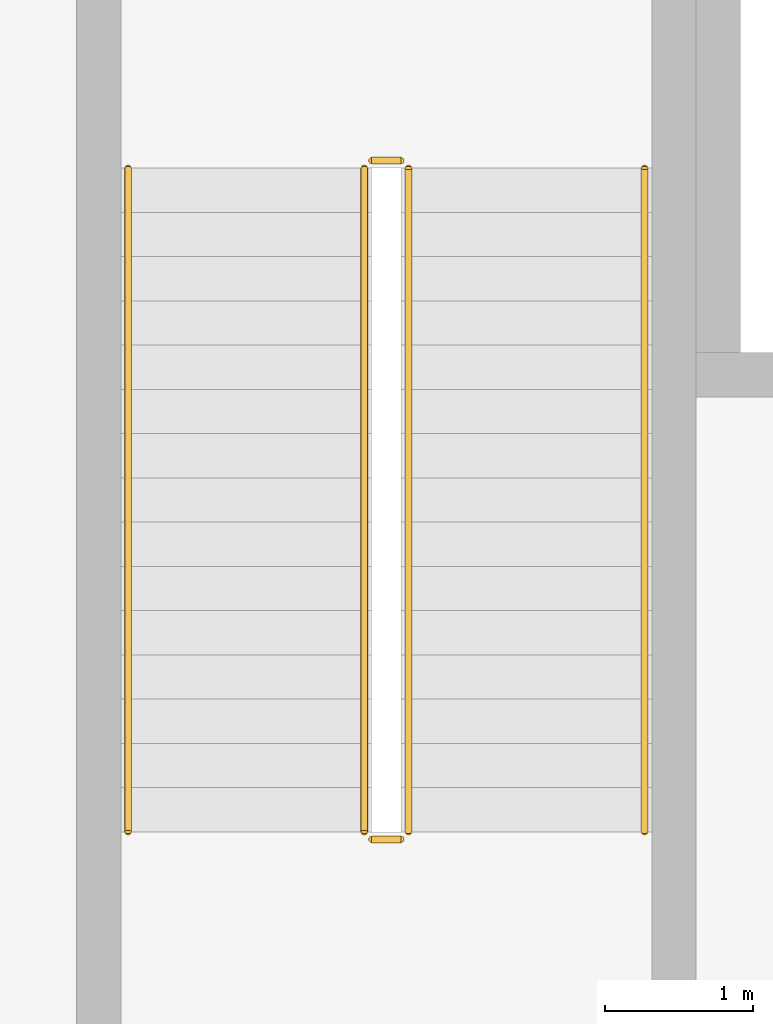
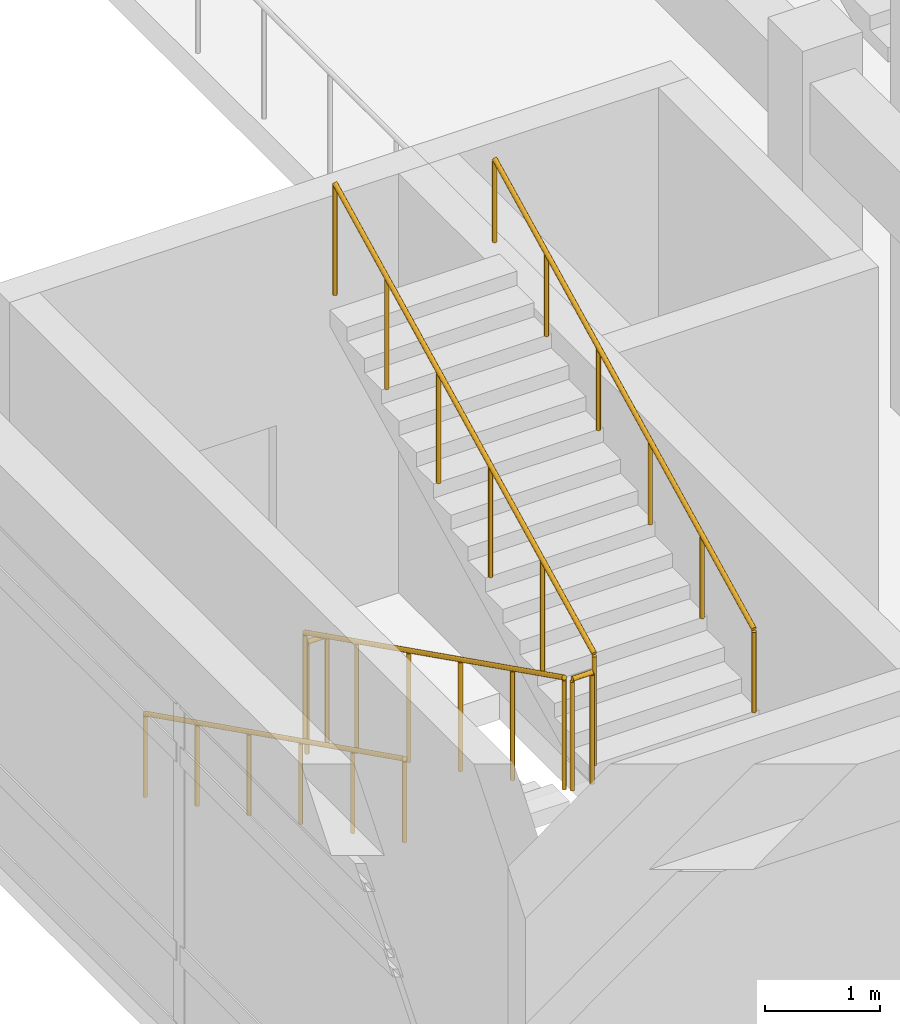
# One storey, part 86 of 90: 6 railings.
"""IFC4 building model written with IfcOpenShell, lengths in metres."""

from ifc_helpers import new_model, si_unit, direction, frame, origin, origin_2d, place, context, subcontext, project, spatial, circle, extrude, material, type_object, element, save


model = new_model("IFC4")

# Units and contexts
model_context = context("Model", 3, precision=1e-05, world=origin(), true_north=direction((0.0, 1.0)))
body_context = subcontext(model_context, "Body", "Model", "MODEL_VIEW")
ifc_project = project(units=[si_unit("LENGTHUNIT", "METRE"), si_unit("AREAUNIT", "SQUARE_METRE"), si_unit("VOLUMEUNIT", "CUBIC_METRE"), si_unit("PLANEANGLEUNIT", "RADIAN"), si_unit("MASSUNIT", "GRAM", prefix="KILO")], contexts=[model_context])

# Site, building, storey
site_placement = place(None, origin())
site = spatial("IfcSite", under=ifc_project, at=site_placement, CompositionType="ELEMENT")
building_placement = place(site_placement, origin())
building = spatial("IfcBuilding", under=site, at=building_placement, Name="Bozkorgan Art Gallery", CompositionType="ELEMENT")
storey_placement = place(building_placement, frame((0.0, 0.0, 5.39990234375)))
storey = spatial("IfcBuildingStorey", under=building, at=storey_placement, Name="L01", CompositionType="ELEMENT", Elevation=5.39990234375)

# Railings
ifc_material = material(Name="Steel S355J2", Category="steel")
railing_type_1 = type_object("IfcRailingType", Name="RAIL-GRD-115", PredefinedType="GUARDRAIL", material=ifc_material)
railing_1_placement = place(storey_placement, frame((77.050048828125, 64.550048828125, 0.150146484375)))
element("IfcRailing", 1, at=railing_1_placement, inside=storey, type_object=railing_type_1, Name="L01 ST2 stair guard 1", PredefinedType="GUARDRAIL", context=body_context, shape_type="SweptSolid", body=[
    extrude(circle(Radius=0.02392578125, at=origin_2d()), frame((0.0, 0.0, 1.17578125), z_axis=(0.0, -0.894427191, 0.4472135955), x_axis=(1.0, 0.0, 0.0)), (0.0, 0.0, 1.0), 5.03125),
    extrude(circle(Radius=0.02099609375, at=origin_2d()), origin(), (0.0, 0.0, 1.0), 1.15185546875),
    extrude(circle(Radius=0.02099609375, at=origin_2d()), frame((0.0, -0.89990234375, 0.449951171875)), (0.0, 0.0, 1.0), 1.15185546875),
    extrude(circle(Radius=0.02099609375, at=origin_2d()), frame((0.0, -1.800048828125, 0.89990234375)), (0.0, 0.0, 1.0), 1.15185546875),
    extrude(circle(Radius=0.02099609375, at=origin_2d()), frame((0.0, -2.699951171875, 1.35009765625)), (0.0, 0.0, 1.0), 1.15185546875),
    extrude(circle(Radius=0.02099609375, at=origin_2d()), frame((0.0, -3.60009765625, 1.800048828125)), (0.0, 0.0, 1.0), 1.15185546875),
    extrude(circle(Radius=0.02099609375, at=origin_2d()), frame((0.0, -4.5, 2.25)), (0.0, 0.0, 1.0), 1.15185546875),
])
railing_2_placement = place(storey_placement, frame((77.10009765625, 60.0, 2.400146484375)))
element("IfcRailing", 2, at=railing_2_placement, inside=storey, type_object=railing_type_1, Name="L01 ST2 stair guard 2", PredefinedType="GUARDRAIL", context=body_context, shape_type="SweptSolid", body=[
    extrude(circle(Radius=0.02392578125, at=origin_2d()), frame((0.0, 0.0, 1.17578125), z_axis=(1.0, 0.0, 0.0), x_axis=(0.0, 1.0, 0.0)), (0.0, 0.0, 1.0), 0.199951171875),
    extrude(circle(Radius=0.02099609375, at=origin_2d()), origin(), (0.0, 0.0, 1.0), 1.15185546875),
    extrude(circle(Radius=0.02099609375, at=origin_2d()), frame((0.199951171875, 0.0, 0.0)), (0.0, 0.0, 1.0), 1.15185546875),
])
railing_3_placement = place(storey_placement, frame((77.35009765625, 60.050048828125, 2.550048828125)))
element("IfcRailing", 3, at=railing_3_placement, inside=storey, type_object=railing_type_1, Name="L01 ST2 stair guard 3", PredefinedType="GUARDRAIL", context=body_context, shape_type="SweptSolid", body=[
    extrude(circle(Radius=0.02392578125, at=origin_2d()), frame((0.0, 0.0, 1.17578125), z_axis=(0.0, 0.894427191, 0.4472135955), x_axis=(-1.0, 0.0, 0.0)), (0.0, 0.0, 1.0), 5.03125),
    extrude(circle(Radius=0.02099609375, at=origin_2d()), origin(), (0.0, 0.0, 1.0), 1.15185546875),
    extrude(circle(Radius=0.02099609375, at=origin_2d()), frame((0.0, 0.89990234375, 0.449951171875)), (0.0, 0.0, 1.0), 1.15185546875),
    extrude(circle(Radius=0.02099609375, at=origin_2d()), frame((0.0, 1.800048828125, 0.89990234375)), (0.0, 0.0, 1.0), 1.15185546875),
    extrude(circle(Radius=0.02099609375, at=origin_2d()), frame((0.0, 2.699951171875, 1.35009765625)), (0.0, 0.0, 1.0), 1.15185546875),
    extrude(circle(Radius=0.02099609375, at=origin_2d()), frame((0.0, 3.60009765625, 1.800048828125)), (0.0, 0.0, 1.0), 1.15185546875),
    extrude(circle(Radius=0.02099609375, at=origin_2d()), frame((0.0, 4.5, 2.25)), (0.0, 0.0, 1.0), 1.15185546875),
])
railing_4_placement = place(storey_placement, frame((77.10009765625, 64.60009765625, 0.0)))
element("IfcRailing", 4, at=railing_4_placement, inside=storey, type_object=railing_type_1, Name="L01 ST2 stair guard 4", PredefinedType="GUARDRAIL", context=body_context, shape_type="SweptSolid", body=[
    extrude(circle(Radius=0.02392578125, at=origin_2d()), frame((0.0, 0.0, 1.17578125), z_axis=(1.0, 0.0, 0.0), x_axis=(0.0, 1.0, 0.0)), (0.0, 0.0, 1.0), 0.199951171875),
    extrude(circle(Radius=0.02099609375, at=origin_2d()), origin(), (0.0, 0.0, 1.0), 1.15185546875),
    extrude(circle(Radius=0.02099609375, at=origin_2d()), frame((0.199951171875, 0.0, 0.0)), (0.0, 0.0, 1.0), 1.15185546875),
])
railing_type_2 = type_object("IfcRailingType", Name="RAIL-HND-092", PredefinedType="HANDRAIL", material=ifc_material)
railing_5_placement = place(storey_placement, frame((75.449951171875, 64.550048828125, 0.150146484375)))
element("IfcRailing", 5, at=railing_5_placement, inside=storey, type_object=railing_type_2, Name="L01 ST2 stair handrail 1", PredefinedType="HANDRAIL", context=body_context, shape_type="SweptSolid", body=[
    extrude(circle(Radius=0.02392578125, at=origin_2d()), frame((0.0, 0.0, 0.8759765625), z_axis=(0.0, -0.894427191, 0.4472135955), x_axis=(1.0, 0.0, 0.0)), (0.0, 0.0, 1.0), 5.03125),
    extrude(circle(Radius=0.02099609375, at=origin_2d()), origin(), (0.0, 0.0, 1.0), 0.851806640625),
    extrude(circle(Radius=0.02099609375, at=origin_2d()), frame((0.0, -0.89990234375, 0.449951171875)), (0.0, 0.0, 1.0), 0.851806640625),
    extrude(circle(Radius=0.02099609375, at=origin_2d()), frame((0.0, -1.800048828125, 0.89990234375)), (0.0, 0.0, 1.0), 0.851806640625),
    extrude(circle(Radius=0.02099609375, at=origin_2d()), frame((0.0, -2.699951171875, 1.35009765625)), (0.0, 0.0, 1.0), 0.851806640625),
    extrude(circle(Radius=0.02099609375, at=origin_2d()), frame((0.0, -3.60009765625, 1.800048828125)), (0.0, 0.0, 1.0), 0.851806640625),
    extrude(circle(Radius=0.02099609375, at=origin_2d()), frame((0.0, -4.5, 2.25)), (0.0, 0.0, 1.0), 0.851806640625),
])
railing_6_placement = place(storey_placement, frame((78.949951171875, 60.050048828125, 2.550048828125)))
element("IfcRailing", 6, at=railing_6_placement, inside=storey, type_object=railing_type_2, Name="L01 ST2 stair handrail 2", PredefinedType="HANDRAIL", context=body_context, shape_type="SweptSolid", body=[
    extrude(circle(Radius=0.02392578125, at=origin_2d()), frame((0.0, 0.0, 0.8759765625), z_axis=(0.0, 0.894427191, 0.4472135955), x_axis=(-1.0, 0.0, 0.0)), (0.0, 0.0, 1.0), 5.03125),
    extrude(circle(Radius=0.02099609375, at=origin_2d()), origin(), (0.0, 0.0, 1.0), 0.851806640625),
    extrude(circle(Radius=0.02099609375, at=origin_2d()), frame((0.0, 0.89990234375, 0.449951171875)), (0.0, 0.0, 1.0), 0.851806640625),
    extrude(circle(Radius=0.02099609375, at=origin_2d()), frame((0.0, 1.800048828125, 0.89990234375)), (0.0, 0.0, 1.0), 0.851806640625),
    extrude(circle(Radius=0.02099609375, at=origin_2d()), frame((0.0, 2.699951171875, 1.35009765625)), (0.0, 0.0, 1.0), 0.851806640625),
    extrude(circle(Radius=0.02099609375, at=origin_2d()), frame((0.0, 3.60009765625, 1.800048828125)), (0.0, 0.0, 1.0), 0.851806640625),
    extrude(circle(Radius=0.02099609375, at=origin_2d()), frame((0.0, 4.5, 2.25)), (0.0, 0.0, 1.0), 0.851806640625),
])

save(model, "model.ifc")
